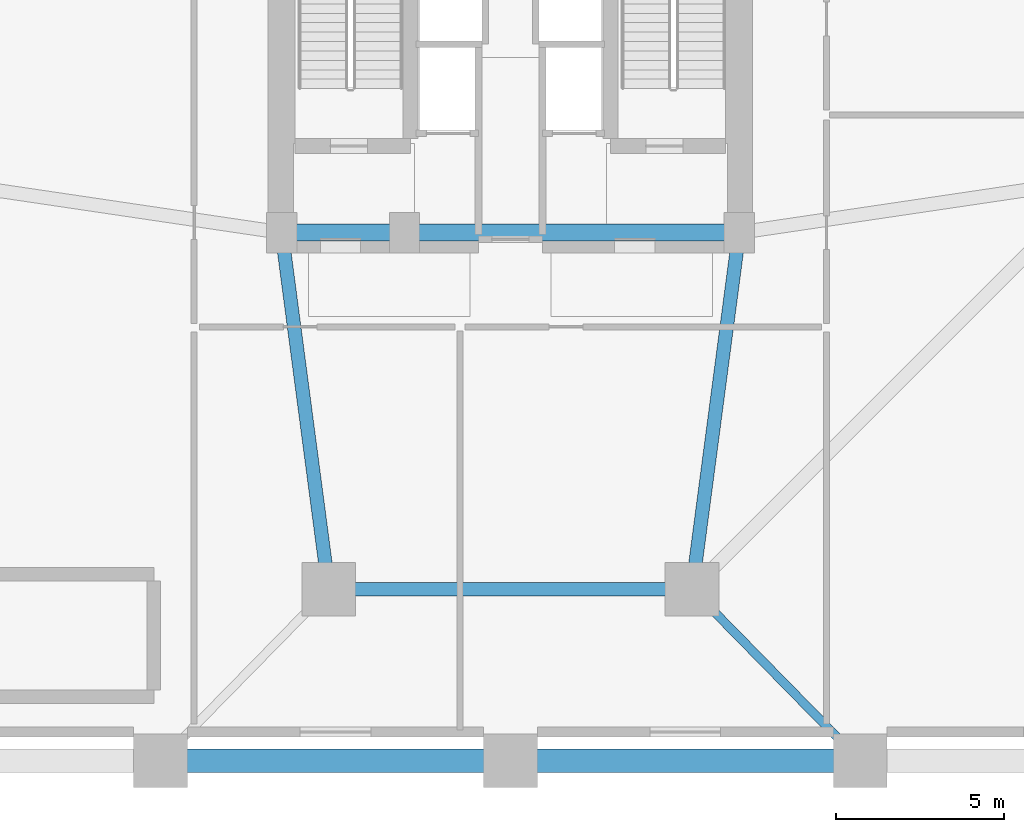
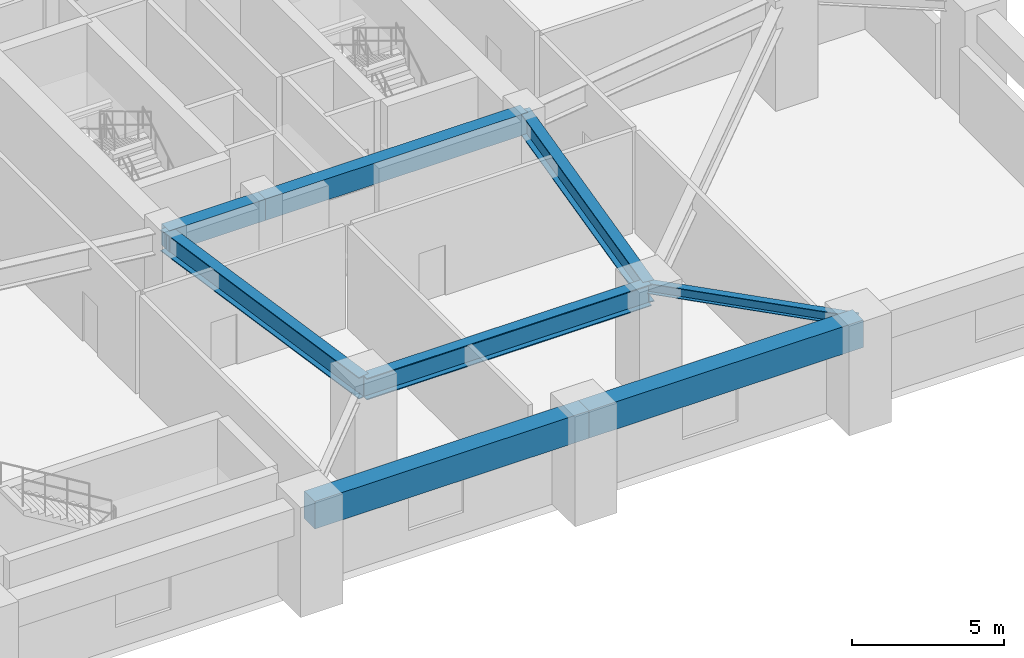
# One storey, part 3 of 16: 8 beams.
"""IFC4 building model written with IfcOpenShell, lengths in metres."""

from ifc_helpers import new_model, si_unit, direction, frame, origin, origin_2d, place, context, subcontext, project, spatial, rectangle, i_section, extrude, material, material_profile, profile_set, type_object, element, save


model = new_model("IFC4")

# Units and contexts
model_context = context("Model", 3, precision=1e-05, world=origin(), true_north=direction((0.0, 1.0)))
body_context = subcontext(model_context, "Body", "Model", "MODEL_VIEW")
ifc_project = project(units=[si_unit("LENGTHUNIT", "METRE"), si_unit("AREAUNIT", "SQUARE_METRE"), si_unit("VOLUMEUNIT", "CUBIC_METRE"), si_unit("PLANEANGLEUNIT", "RADIAN"), si_unit("MASSUNIT", "GRAM", prefix="KILO")], contexts=[model_context])

# Site, building, storey
site_placement = place(None, origin())
site = spatial("IfcSite", under=ifc_project, at=site_placement, CompositionType="ELEMENT")
building_placement = place(site_placement, origin())
building = spatial("IfcBuilding", under=site, at=building_placement, Name="Veraguas Prism Commons", CompositionType="ELEMENT")
storey_placement = place(building_placement, frame((0.0, 0.0, 14.0)))
storey = spatial("IfcBuildingStorey", under=building, at=storey_placement, Name="L03", CompositionType="ELEMENT", Elevation=14.0)

# Beams
ifc_material_1 = material(Name="Steel ASTM A992 Grade 50", Category="steel")
ifc_material_profile_1 = material_profile(ifc_material_1, i_section(OverallWidth=0.403076171875, OverallDepth=0.867919921875, WebThickness=0.02099609375, FlangeThickness=0.03564453125, at=origin_2d()), Name="W840X359")
ifc_profile_set_1 = profile_set([ifc_material_profile_1], Name="Steel ASTM A992 Grade 50")
beam_type_1 = type_object("IfcBeamType", Name="Concourse Primary Girder W840x359", PredefinedType="BEAM", material=ifc_profile_set_1)
for number, where, z_axis, x_axis, name in (
    (1, (18.60009765625, 6.39990234375, 3.666015625), (-0.130950648891, 0.991388888154, 0.0), (-0.991388888154, -0.130950648891, 0.0), "Concourse Radial Girder L03-TMR07"),
    (2, (29.39990234375, 6.39990234375, 3.666015625), (0.130950648891, 0.991388888154, 0.0), (-0.991388888154, 0.130950648891, 0.0), "Concourse Radial Girder L03-TMR08"),
):
    element("IfcBeam", number, at=place(storey_placement, frame(where, z_axis=z_axis, x_axis=x_axis)), inside=storey, type_object=beam_type_1, Name=name, PredefinedType="BEAM", context=body_context, shape_type="SweptSolid", body=[
        extrude(i_section(OverallWidth=0.403076171875, OverallDepth=0.867919921875, WebThickness=0.02099609375, FlangeThickness=0.03564453125, at=origin_2d()), origin(), (0.0, 0.0, 1.0), 10.692138671875),
    ])
beam_1_placement = place(storey_placement, frame((18.60009765625, 6.39990234375, 3.666015625), z_axis=(1.0, 0.0, 0.0), x_axis=(0.0, 1.0, 0.0)))
element("IfcBeam", 3, at=beam_1_placement, inside=storey, type_object=beam_type_1, Name="Concourse Ring Girder L03-TMH07", PredefinedType="BEAM", context=body_context, shape_type="SweptSolid", body=[
    extrude(i_section(OverallWidth=0.403076171875, OverallDepth=0.867919921875, WebThickness=0.02099609375, FlangeThickness=0.03564453125, at=origin_2d()), origin(), (0.0, 0.0, 1.0), 10.7998046875),
])
ifc_material_2 = material(Name="Concrete C50/60", Category="concrete")
ifc_material_profile_2 = material_profile(ifc_material_2, rectangle(XDim=0.5, YDim=0.85009765625, at=origin_2d()), Name="RC500X850")
ifc_profile_set_2 = profile_set([ifc_material_profile_2], Name="Concrete C50/60")
beam_type_2 = type_object("IfcBeamType", Name="Core Coupling Beam RC 500x850", PredefinedType="BEAM", material=ifc_profile_set_2)
beam_2_placement = place(storey_placement, frame((17.199951171875, 17.0, 3.675048828125), z_axis=(1.0, 0.0, 0.0), x_axis=(0.0, 1.0, 0.0)))
element("IfcBeam", 4, at=beam_2_placement, inside=storey, type_object=beam_type_2, Name="Core Coupling Beam L03-CRS1", PredefinedType="BEAM", context=body_context, shape_type="SweptSolid", body=[
    extrude(rectangle(XDim=0.5, YDim=0.85009765625, at=origin_2d()), origin(), (0.0, 0.0, 1.0), 3.650146484375),
])
beam_3_placement = place(storey_placement, frame((20.85009765625, 17.0, 3.675048828125), z_axis=(1.0, 0.0, 0.0), x_axis=(0.0, 1.0, 0.0)))
element("IfcBeam", 5, at=beam_3_placement, inside=storey, type_object=beam_type_2, Name="Core Coupling Beam L03-CRS2", PredefinedType="BEAM", context=body_context, shape_type="SweptSolid", body=[
    extrude(rectangle(XDim=0.5, YDim=0.85009765625, at=origin_2d()), origin(), (0.0, 0.0, 1.0), 9.949951171875),
])
ifc_material_profile_3 = material_profile(ifc_material_1, i_section(OverallWidth=0.260986328125, OverallDepth=0.419921875, WebThickness=0.01171875, FlangeThickness=0.019287109375, at=origin_2d()), Name="W410X114")
ifc_profile_set_3 = profile_set([ifc_material_profile_3], Name="Steel ASTM A992 Grade 50")
beam_type_3 = type_object("IfcBeamType", Name="Lower Floor Joist W410x114", PredefinedType="JOIST", material=ifc_profile_set_3)
beam_4_placement = place(storey_placement, frame((29.39990234375, 6.39990234375, 3.889892578125), z_axis=(0.700081663946, -0.71406278702, 0.0), x_axis=(0.71406278702, 0.700081663946, 0.0)))
element("IfcBeam", 6, at=beam_4_placement, inside=storey, type_object=beam_type_3, Name="Podium Tie Beam L03-TMT08", PredefinedType="JOIST", context=body_context, shape_type="SweptSolid", body=[
    extrude(i_section(OverallWidth=0.260986328125, OverallDepth=0.419921875, WebThickness=0.01171875, FlangeThickness=0.019287109375, at=origin_2d()), origin(), (0.0, 0.0, 1.0), 7.14208984375),
])
ifc_material_profile_4 = material_profile(ifc_material_2, rectangle(XDim=0.699951171875, YDim=1.10009765625, at=origin_2d()), Name="RC700X1100")
ifc_profile_set_4 = profile_set([ifc_material_profile_4], Name="Concrete C50/60")
beam_type_4 = type_object("IfcBeamType", Name="Podium Primary Girder RC 700x1100", PredefinedType="BEAM", material=ifc_profile_set_4)
for number, where, z_axis, x_axis, name in (
    (7, (13.60009765625, 1.300048828125, 3.550048828125), (1.0, 0.0, 0.0), (0.0, 1.0, 0.0), "Podium Perimeter Girder L03-PDR02"),
    (8, (24.0, 1.300048828125, 3.550048828125), (1.0, 0.0, 0.0), (0.0, 1.0, 0.0), "Podium Perimeter Girder L03-PDR03"),
):
    element("IfcBeam", number, at=place(storey_placement, frame(where, z_axis=z_axis, x_axis=x_axis)), inside=storey, type_object=beam_type_4, Name=name, PredefinedType="BEAM", context=body_context, shape_type="SweptSolid", body=[
        extrude(rectangle(XDim=0.699951171875, YDim=1.10009765625, at=origin_2d()), origin(), (0.0, 0.0, 1.0), 10.39990234375),
    ])

save(model, "model.ifc")
